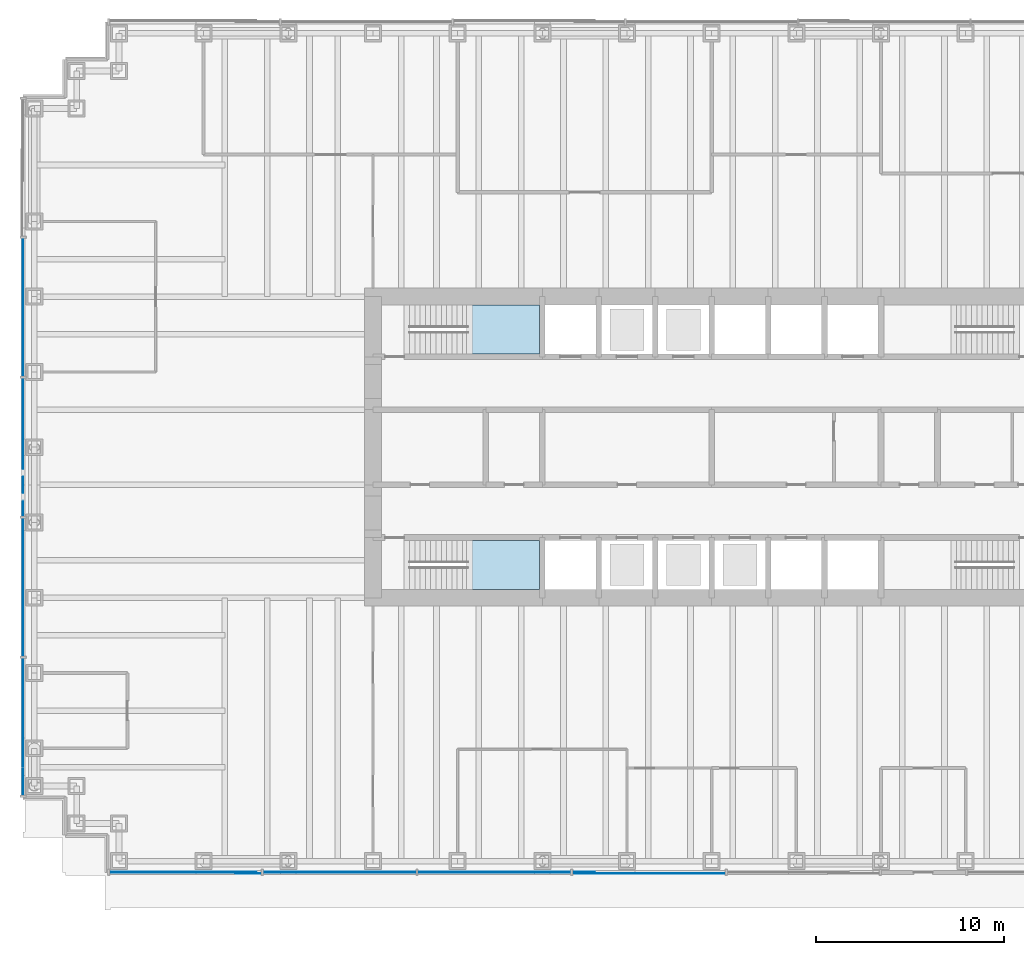
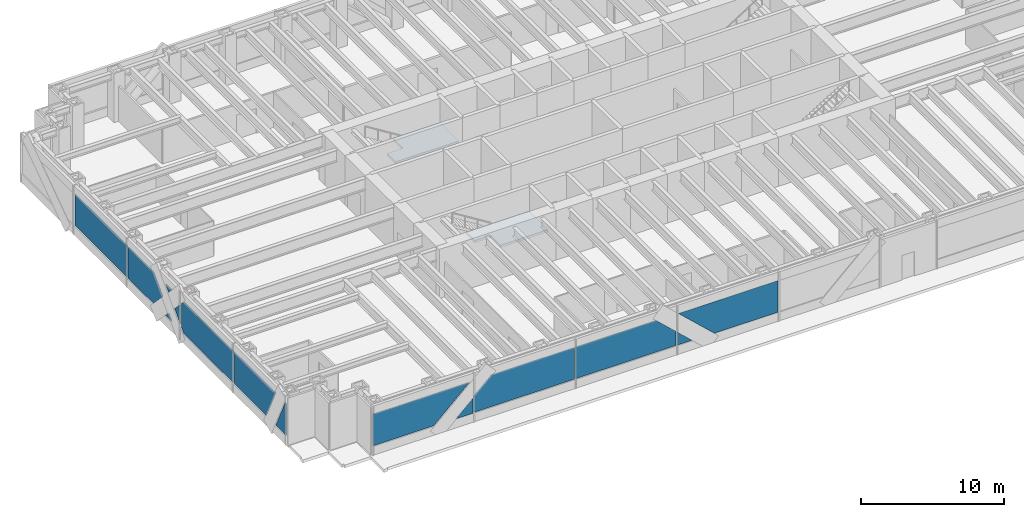
# One storey, part 6 of 14: 14 plates, 2 slabs, 4 elements without a shape of their own.
"""IFC4 building model written with IfcOpenShell, lengths in metres."""

from ifc_helpers import new_model, si_unit, direction, frame, origin, origin_2d, place, context, subcontext, project, spatial, polyline, rectangle, outline, extrude, material, layer, layer_set, type_object, element, aggregate, save


model = new_model("IFC4")

# Units and contexts
model_context = context("Model", 3, precision=1e-05, world=origin(), true_north=direction((0.0, 1.0)))
body_context = subcontext(model_context, "Body", "Model", "MODEL_VIEW")
ifc_project = project(units=[si_unit("LENGTHUNIT", "METRE"), si_unit("AREAUNIT", "SQUARE_METRE"), si_unit("VOLUMEUNIT", "CUBIC_METRE"), si_unit("PLANEANGLEUNIT", "RADIAN"), si_unit("MASSUNIT", "GRAM", prefix="KILO")], contexts=[model_context])

# Site, building, storey
site_placement = place(None, origin())
site = spatial("IfcSite", under=ifc_project, at=site_placement, CompositionType="ELEMENT")
building_placement = place(site_placement, origin())
building = spatial("IfcBuilding", under=site, at=building_placement, Name="Rheinbord Bourse Tower", CompositionType="ELEMENT")
storey_placement = place(building_placement, frame((0.0, 0.0, 100.5)))
storey = spatial("IfcBuildingStorey", under=building, at=storey_placement, Name="L21", CompositionType="ELEMENT", Elevation=100.5)

# Curtain wall, plates
ifc_material_1 = material(Name="Dark glass and black aluminium", Category="aluminium")
curtain_wall_type = type_object("IfcCurtainWallType", Name="CW6 DARK GLASS CURTAIN WALL", PredefinedType="USERDEFINED", material=ifc_material_1)
curtain_wall_1_placement = place(storey_placement, origin())
curtain_wall_1 = element("IfcCurtainWall", 1, at=curtain_wall_1_placement, inside=storey, type_object=curtain_wall_type, Name="Curtain wall CW6 S L21", ObjectType="UNITISED CURTAIN WALL", PredefinedType="USERDEFINED")
ifc_material_2 = material(Name="Dark tinted triple insulating glass", Category="glass")
ifc_layer_1 = layer(ifc_material_2, 0.050048828125)
ifc_layer_set_1 = layer_set([ifc_layer_1], Name="CW6 DARK GLASS PANEL")
plate_type = type_object("IfcPlateType", Name="CW6 DARK GLASS PANEL", PredefinedType="CURTAIN_PANEL", material=ifc_layer_set_1)
plate_1_placement = place(storey_placement, frame((4.0, 1.375, 0.75), z_axis=(0.0, 1.0, 0.0), x_axis=(0.0, 0.0, 1.0)))
plate_1 = element("IfcPlate", 2, at=plate_1_placement, type_object=plate_type, Name="CW6 glass facet 1", PredefinedType="CURTAIN_PANEL", context=body_context, shape_type="SweptSolid", body=[
    extrude(outline(polyline([(0.0, 0.0), (2.699951171875, 0.0), (2.699951171875, 7.81005859375), (0.0, 4.9169921875), (0.0, 0.0)])), origin(), (0.0, 0.0, 1.0), 0.050048828125),
])
plate_2_placement = place(storey_placement, frame((12.070068359375, 1.31982421875, 0.75), z_axis=(0.0, 1.0, 0.0), x_axis=(-1.0, 0.0, 0.0)))
plate_2 = element("IfcPlate", 3, at=plate_2_placement, type_object=plate_type, Name="CW6 glass facet 2", PredefinedType="CURTAIN_PANEL", context=body_context, shape_type="SweptSolid", body=[
    extrude(outline(polyline([(0.0, 0.0), (1.380126953125, 0.0), (0.0, 1.2880859375), (0.0, 0.0)])), origin(), (0.0, 0.0, 1.0), 0.050048828125),
])
plate_3_placement = place(storey_placement, frame((20.2900390625, 1.375, 3.449951171875), z_axis=(0.0, 1.0, 0.0), x_axis=(0.0, 0.0, -1.0)))
plate_3 = element("IfcPlate", 4, at=plate_3_placement, type_object=plate_type, Name="CW6 glass facet 1", PredefinedType="CURTAIN_PANEL", context=body_context, shape_type="SweptSolid", body=[
    extrude(outline(polyline([(0.0, 0.0), (2.699951171875, 0.0), (2.699951171875, 8.1201171875), (1.31884765625, 8.1201171875), (0.0, 6.70703125), (0.0, 0.0)])), origin(), (0.0, 0.0, 1.0), 0.050048828125),
])
plate_4_placement = place(storey_placement, frame((28.510009765625, 1.375, 0.75), z_axis=(0.0, 1.0, 0.0), x_axis=(-1.0, 0.0, 0.0)))
plate_4 = element("IfcPlate", 5, at=plate_4_placement, type_object=plate_type, Name="CW6 glass facet 1", PredefinedType="CURTAIN_PANEL", context=body_context, shape_type="SweptSolid", body=[
    extrude(outline(polyline([(0.0, 0.0), (8.1201171875, 0.0), (8.1201171875, 2.699951171875), (1.593017578125, 2.699951171875), (0.0, 1.212890625), (0.0, 0.0)])), origin(), (0.0, 0.0, 1.0), 0.050048828125),
])
plate_5_placement = place(storey_placement, frame((28.610107421875, 1.375, 0.75), z_axis=(0.0, 1.0, 0.0), x_axis=(0.0, 0.0, 1.0)))
plate_5 = element("IfcPlate", 6, at=plate_5_placement, type_object=plate_type, Name="CW6 glass facet 1", PredefinedType="CURTAIN_PANEL", context=body_context, shape_type="SweptSolid", body=[
    extrude(outline(polyline([(0.0, 0.0), (1.1201171875, 0.0), (0.0, 1.199951171875), (0.0, 0.0)])), origin(), (0.0, 0.0, 1.0), 0.050048828125),
])
plate_6_placement = place(storey_placement, frame((36.72998046875, 1.31982421875, 3.449951171875), z_axis=(0.0, 1.0, 0.0), x_axis=(0.0, 0.0, -1.0)))
plate_6 = element("IfcPlate", 7, at=plate_6_placement, type_object=plate_type, Name="CW6 glass facet 2", PredefinedType="CURTAIN_PANEL", context=body_context, shape_type="SweptSolid", body=[
    extrude(outline(polyline([(0.0, 0.0), (2.699951171875, 0.0), (2.699951171875, 5.14697265625), (0.0, 8.0400390625), (0.0, 0.0)])), origin(), (0.0, 0.0, 1.0), 0.050048828125),
])
aggregate(curtain_wall_1, [plate_1, plate_2, plate_3, plate_4, plate_5, plate_6])

curtain_wall_2_placement = place(storey_placement, origin())
curtain_wall_2 = element("IfcCurtainWall", 8, at=curtain_wall_2_placement, inside=storey, type_object=curtain_wall_type, Name="Curtain wall CW6 W L21", ObjectType="UNITISED CURTAIN WALL", PredefinedType="USERDEFINED")
plate_7_placement = place(storey_placement, frame((-0.60009765625, 31.43994140625, 0.75), z_axis=(0.0, 0.0, 1.0), x_axis=(0.0, -1.0, 0.0)))
plate_7 = element("IfcPlate", 9, at=plate_7_placement, type_object=plate_type, Name="CW6 panel 2.1", PredefinedType="CURTAIN_PANEL", context=body_context, shape_type="SweptSolid", body=[
    extrude(rectangle(XDim=7.340087890625, YDim=0.050048828125, at=origin_2d()), origin(), (0.0, 0.0, 1.0), 2.699951171875),
])
plate_8_placement = place(storey_placement, frame((-0.625, 27.669921875, 0.75), z_axis=(1.0, 0.0, 0.0), x_axis=(0.0, 0.0, 1.0)))
plate_8 = element("IfcPlate", 10, at=plate_8_placement, type_object=plate_type, Name="CW6 glass facet 1", PredefinedType="CURTAIN_PANEL", context=body_context, shape_type="SweptSolid", body=[
    extrude(outline(polyline([(0.0, 0.0), (2.699951171875, 0.0), (2.699951171875, 3.548828125), (1.35009765625, 4.8349609375), (0.0, 3.548828125), (0.0, 0.0)])), origin(), (0.0, 0.0, 1.0), 0.050048828125),
])
plate_9_placement = place(storey_placement, frame((-0.625, 22.449951171875, 0.75), z_axis=(1.0, 0.0, 0.0), x_axis=(0.0, -0.689309541441, 0.72446694616)))
plate_9 = element("IfcPlate", 11, at=plate_9_placement, type_object=plate_type, Name="CW6 glass facet 2", PredefinedType="CURTAIN_PANEL", context=body_context, shape_type="SweptSolid", body=[
    extrude(outline(polyline([(0.0, 0.0), (0.65283203125, 0.0), (0.620361328125, 0.65185546875), (0.0, 0.0)])), origin(), (0.0, 0.0, 1.0), 0.050048828125),
])
plate_10_placement = place(storey_placement, frame((-0.625, 21.550048828125, 3.449951171875), z_axis=(1.0, 0.0, 0.0), x_axis=(0.0, 0.689309541441, -0.72446694616)))
plate_10 = element("IfcPlate", 12, at=plate_10_placement, type_object=plate_type, Name="CW6 glass facet 3", PredefinedType="CURTAIN_PANEL", context=body_context, shape_type="SweptSolid", body=[
    extrude(outline(polyline([(0.0, 0.0), (0.65283203125, 0.0), (0.620361328125, 0.65185546875), (0.0, 0.0)])), origin(), (0.0, 0.0, 1.0), 0.050048828125),
])
plate_11_placement = place(storey_placement, frame((-0.625, 20.330078125, 1.22412109375), z_axis=(1.0, 0.0, 0.0), x_axis=(0.0, 0.689957365392, 0.723850007903)))
plate_11 = element("IfcPlate", 13, at=plate_11_placement, type_object=plate_type, Name="CW6 glass facet 4", PredefinedType="CURTAIN_PANEL", context=body_context, shape_type="SweptSolid", body=[
    extrude(outline(polyline([(0.0, 0.0), (1.210205078125, 0.0), (1.26806640625, 1.208740234375), (0.0, 0.0)])), origin(), (0.0, 0.0, 1.0), 0.050048828125),
])
plate_12_placement = place(storey_placement, frame((-0.625, 12.889892578125, 3.449951171875), z_axis=(1.0, 0.0, 0.0), x_axis=(0.0, 0.0, -1.0)))
plate_12 = element("IfcPlate", 14, at=plate_12_placement, type_object=plate_type, Name="CW6 glass facet 1", PredefinedType="CURTAIN_PANEL", context=body_context, shape_type="SweptSolid", body=[
    extrude(outline(polyline([(0.0, 0.0), (2.699951171875, 0.0), (2.699951171875, 6.989013671875), (2.3310546875, 7.340087890625), (0.368896484375, 7.340087890625), (0.0, 6.989013671875), (0.0, 0.0)])), origin(), (0.0, 0.0, 1.0), 0.050048828125),
])
plate_13_placement = place(storey_placement, frame((-0.625, 12.7900390625, 0.75), z_axis=(1.0, 0.0, 0.0), x_axis=(0.0, 0.0, 1.0)))
plate_13 = element("IfcPlate", 15, at=plate_13_placement, type_object=plate_type, Name="CW6 glass facet 1", PredefinedType="CURTAIN_PANEL", context=body_context, shape_type="SweptSolid", body=[
    extrude(outline(polyline([(0.0, 0.0), (2.699951171875, 0.0), (2.699951171875, 5.762939453125), (0.0, 4.47705078125), (0.0, 0.0)])), origin(), (0.0, 0.0, 1.0), 0.050048828125),
])
plate_14_placement = place(storey_placement, frame((-0.625, 5.5, 3.449951171875), z_axis=(1.0, 0.0, 0.0), x_axis=(0.0, 0.0, -1.0)))
plate_14 = element("IfcPlate", 16, at=plate_14_placement, type_object=plate_type, Name="CW6 glass facet 2", PredefinedType="CURTAIN_PANEL", context=body_context, shape_type="SweptSolid", body=[
    extrude(outline(polyline([(0.0, 0.0), (2.699951171875, 0.0), (2.699951171875, 1.472900390625), (0.0, 0.18701171875), (0.0, 0.0)])), origin(), (0.0, 0.0, 1.0), 0.050048828125),
])
aggregate(curtain_wall_2, [plate_7, plate_8, plate_9, plate_10, plate_11, plate_12, plate_13, plate_14])

# Stair, slab
ifc_material_3 = material(Name="Concrete C30/37", Category="concrete")
stair_type = type_object("IfcStairType", Name="CORE STAIR HALF TURN 4200", PredefinedType="HALF_TURN_STAIR", material=ifc_material_3)
stair_1_placement = place(storey_placement, origin())
stair_1 = element("IfcStair", 17, at=stair_1_placement, inside=storey, type_object=stair_type, Name="Stair ST1 L21, type CS6", PredefinedType="HALF_TURN_STAIR")
ifc_material_4 = material(Name="Concrete C30/37", Category="concrete")
ifc_layer_2 = layer(ifc_material_4, 0.199951171875)
ifc_layer_set_2 = layer_set([ifc_layer_2], Name="STAIR LANDING 200")
slab_type = type_object("IfcSlabType", Name="STAIR LANDING 200", PredefinedType="LANDING", material=ifc_layer_set_2)
slab_1_placement = place(storey_placement, frame((0.0, 0.0, 1.89990234375)))
slab_1 = element("IfcSlab", 18, at=slab_1_placement, type_object=slab_type, Name="Half landing ST1 L21", PredefinedType="LANDING", context=body_context, shape_type="SweptSolid", body=[
    extrude(outline(polyline([(23.030029296875, 16.449951171875), (26.85009765625, 16.449951171875), (26.85009765625, 19.050048828125), (21.748046875, 19.050048828125), (21.748046875, 17.85009765625), (23.030029296875, 17.85009765625), (23.030029296875, 16.449951171875)])), origin(), (0.0, 0.0, 1.0), 0.2001953125),
])
aggregate(stair_1, [slab_1])

stair_2_placement = place(storey_placement, origin())
stair_2 = element("IfcStair", 19, at=stair_2_placement, inside=storey, type_object=stair_type, Name="Stair ST2 L21, type CS6", PredefinedType="HALF_TURN_STAIR")
slab_2_placement = place(storey_placement, frame((0.0, 0.0, 1.89990234375)))
slab_2 = element("IfcSlab", 20, at=slab_2_placement, type_object=slab_type, Name="Half landing ST2 L21", PredefinedType="LANDING", context=body_context, shape_type="SweptSolid", body=[
    extrude(outline(polyline([(21.748046875, 28.949951171875), (26.85009765625, 28.949951171875), (26.85009765625, 31.550048828125), (23.030029296875, 31.550048828125), (23.030029296875, 30.14990234375), (21.748046875, 30.14990234375), (21.748046875, 28.949951171875)])), origin(), (0.0, 0.0, 1.0), 0.2001953125),
])
aggregate(stair_2, [slab_2])

save(model, "model.ifc")
